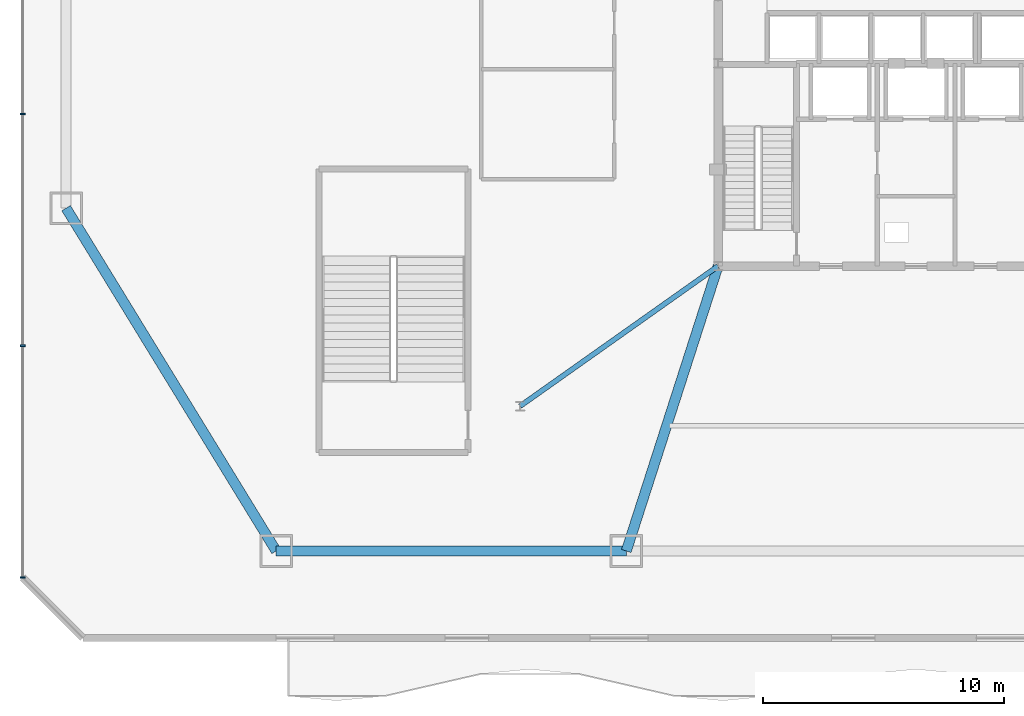
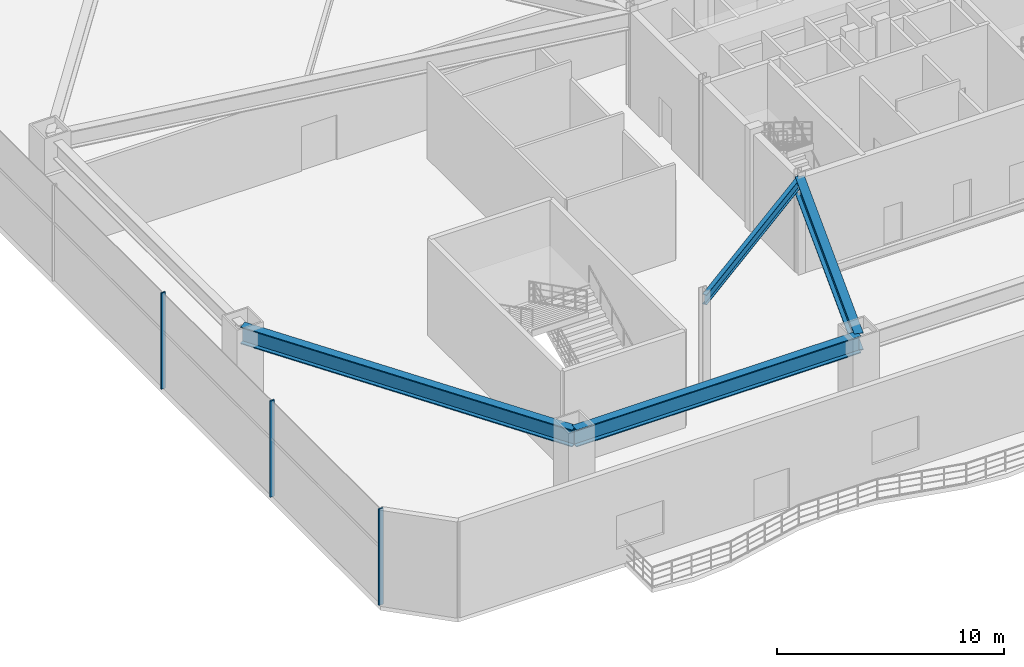
# One storey, part 5 of 20: 4 beams, 3 members, 1 element without a shape of its own.
"""IFC4 building model written with IfcOpenShell, lengths in metres."""

import ifcopenshell
import ifcopenshell.guid

model = None  # the IFC model being written
_history = None  # IfcOwnerHistory: only IFC2X3 demands one
_inside = {}  # id of a spatial element -> (the spatial element, [elements in it])
_under = {}  # id of a project, library or spatial element -> (it, [spatial elements below it])
_declared = {}  # id of a project -> (the project, [libraries it declares])
_typed = {}  # id of a type object -> (the type object, [elements of that type])
_made_of = {}  # id of a material, layer set ... -> (it, [elements and type objects made of it])


def new_model(schema):
    """Start an empty IFC model of exactly this schema.

    Asked for "IFC4X3", IfcOpenShell would pick the latest addendum, in which some entities
    have other attributes; the version numbers below select the first issue.
    IFC2X3 requires an IfcOwnerHistory on every rooted entity: one is made here for all.
    """
    global model, _history
    if schema == "IFC4X3":
        model = ifcopenshell.file(schema_version=(4, 3, 0, 0))
    else:
        model = ifcopenshell.file(schema=schema)
    _inside.clear()
    _under.clear()
    _declared.clear()
    _typed.clear()
    _made_of.clear()
    _history = None
    if model.schema == "IFC2X3":
        org = make("IfcOrganization", Name="unknown")
        user = make(
            "IfcPersonAndOrganization",
            ThePerson=make("IfcPerson", FamilyName="unknown"),
            TheOrganization=org,
        )
        app = make(
            "IfcApplication",
            ApplicationDeveloper=org,
            Version="unknown",
            ApplicationFullName="unknown",
            ApplicationIdentifier="unknown",
        )
        _history = make(
            "IfcOwnerHistory",
            OwningUser=user,
            OwningApplication=app,
            ChangeAction="ADDED",
            CreationDate=0,
        )
    return model


def make(cls, **values):
    """One entity of the class cls with the attributes given. An attribute that is None is left unset."""
    return model.create_entity(
        cls, **{name: value for name, value in values.items() if value is not None}
    )


def rooted(cls, **values):
    """An entity with a GlobalId (a new one), such as an element, a storey or a relation."""
    return make(cls, GlobalId=ifcopenshell.guid.new(), OwnerHistory=_history, **values)


def si_unit(unit_type, name, prefix=None):
    """IfcSIUnit, for example si_unit("LENGTHUNIT", "METRE", prefix="MILLI")."""
    return make("IfcSIUnit", UnitType=unit_type, Prefix=prefix, Name=name)


def assignment(units):
    """IfcUnitAssignment: the units of a project."""
    return None if units is None else make("IfcUnitAssignment", Units=units)


def point(xyz):
    """IfcCartesianPoint."""
    return None if xyz is None else make("IfcCartesianPoint", Coordinates=xyz)


def direction(xyz):
    """IfcDirection."""
    return None if xyz is None else make("IfcDirection", DirectionRatios=xyz)


def frame(location, z_axis=None, x_axis=None):
    """IfcAxis2Placement3D, a coordinate frame: its origin and axes. An axis left out is left unset."""
    return make(
        "IfcAxis2Placement3D",
        Location=point(location),
        Axis=direction(z_axis),
        RefDirection=direction(x_axis),
    )


def frame_2d(location, x_axis=None):
    """IfcAxis2Placement2D, a coordinate frame in the plane: its origin and x axis."""
    return make(
        "IfcAxis2Placement2D", Location=point(location), RefDirection=direction(x_axis)
    )


def origin():
    """The frame at (0, 0, 0) with its axes left unset."""
    return frame((0.0, 0.0, 0.0))


def origin_2d():
    """The frame at (0, 0) in the plane with its x axis left unset."""
    return frame_2d((0.0, 0.0))


def place(relative_to, where):
    """IfcLocalPlacement: puts the frame where relative to a parent placement (None: the world)."""
    return make(
        "IfcLocalPlacement", PlacementRelTo=relative_to, RelativePlacement=where
    )


def context(
    kind, dimensions, precision=None, world=None, true_north=None, identifier=None
):
    """IfcGeometricRepresentationContext, for example the 3D "Model" context."""
    return make(
        "IfcGeometricRepresentationContext",
        ContextIdentifier=identifier,
        ContextType=kind,
        CoordinateSpaceDimension=dimensions,
        Precision=precision,
        WorldCoordinateSystem=world,
        TrueNorth=true_north,
    )


def subcontext(parent, identifier, kind, view, scale=None):
    """IfcGeometricRepresentationSubContext, for example "Body" below "Model"."""
    return make(
        "IfcGeometricRepresentationSubContext",
        ContextIdentifier=identifier,
        ContextType=kind,
        ParentContext=parent,
        TargetScale=scale,
        TargetView=view,
    )


def project(units=None, contexts=None):
    """IfcProject with its units and contexts."""
    return rooted(
        "IfcProject",
        Name="project",
        RepresentationContexts=contexts,
        UnitsInContext=assignment(units),
    )


def spatial(cls, under=None, at=None, **own):
    """A site, building, storey or space (cls), placed at a placement, below another one or the project."""
    s = rooted(cls, ObjectPlacement=at, **own)
    if under is not None:
        _under.setdefault(under.id(), (under, []))[1].append(s)
    return s


def profile(cls, at=None, kind="AREA", **sizes):
    """A parametric profile (cls). Its sizes go by their IFC names, for example OverallWidth=200.0."""
    return make(cls, ProfileType=kind, Position=at, **sizes)


def rectangle(**sizes):
    """IfcRectangleProfileDef."""
    return profile("IfcRectangleProfileDef", **sizes)


def i_section(**sizes):
    """IfcIShapeProfileDef."""
    return profile("IfcIShapeProfileDef", **sizes)


def extrude(swept, where, along, depth):
    """IfcExtrudedAreaSolid: the profile swept, set in the frame where, extruded along a direction by depth."""
    return make(
        "IfcExtrudedAreaSolid",
        SweptArea=swept,
        Position=where,
        ExtrudedDirection=direction(along),
        Depth=depth,
    )


def shape(context_of_items, identifier, shape_type, items):
    """IfcShapeRepresentation: the items that make up one representation, for example the "Body"."""
    return make(
        "IfcShapeRepresentation",
        ContextOfItems=context_of_items,
        RepresentationIdentifier=identifier,
        RepresentationType=shape_type,
        Items=items,
    )


def source(mapping_origin, context_of_items, identifier, shape_type, items):
    """IfcRepresentationMap: a shape defined once, which mapped items show again and again."""
    return make(
        "IfcRepresentationMap",
        MappingOrigin=mapping_origin,
        MappedRepresentation=shape(context_of_items, identifier, shape_type, items),
    )


def transform(
    local_origin,
    x_axis=None,
    y_axis=None,
    z_axis=None,
    scale=None,
    scale2=None,
    scale3=None,
    uniform=True,
):
    """IfcCartesianTransformationOperator3D, or its non-uniform kind. x_axis, y_axis, z_axis: its Axis1, 2, 3."""
    if uniform:
        return make(
            "IfcCartesianTransformationOperator3D",
            Axis1=direction(x_axis),
            Axis2=direction(y_axis),
            LocalOrigin=point(local_origin),
            Scale=scale,
            Axis3=direction(z_axis),
        )
    return make(
        "IfcCartesianTransformationOperator3DnonUniform",
        Axis1=direction(x_axis),
        Axis2=direction(y_axis),
        LocalOrigin=point(local_origin),
        Scale=scale,
        Axis3=direction(z_axis),
        Scale2=scale2,
        Scale3=scale3,
    )


def mapped(mapping_source, mapping_target):
    """IfcMappedItem: shows the shape of a source again, moved by a transform."""
    return make(
        "IfcMappedItem", MappingSource=mapping_source, MappingTarget=mapping_target
    )


def material(Name=None, Category=None):
    """IfcMaterial."""
    return make("IfcMaterial", Name=Name, Category=Category)


def layer(
    of_material, thickness, ventilated=None, Name=None, Category=None, Priority=None
):
    """IfcMaterialLayer: one layer of a wall or slab, of a material (None: an air gap)."""
    return make(
        "IfcMaterialLayer",
        Material=of_material,
        LayerThickness=thickness,
        IsVentilated=ventilated,
        Name=Name,
        Category=Category,
        Priority=Priority,
    )


def layer_set(layers, Name=None):
    """IfcMaterialLayerSet."""
    return make("IfcMaterialLayerSet", MaterialLayers=layers, LayerSetName=Name)


def material_profile(
    of_material, cross_section, Name=None, Category=None, Priority=None
):
    """IfcMaterialProfile: a cross section and its material."""
    return make(
        "IfcMaterialProfile",
        Name=Name,
        Material=of_material,
        Profile=cross_section,
        Priority=Priority,
        Category=Category,
    )


def profile_set(profiles, Name=None, composite=None):
    """IfcMaterialProfileSet."""
    return make(
        "IfcMaterialProfileSet",
        Name=Name,
        MaterialProfiles=profiles,
        CompositeProfile=composite,
    )


def made_of(thing, what):
    """Note that an element or type object is made of a material, layer set ...; save() writes the relation."""
    if what is not None:
        _made_of.setdefault(what.id(), (what, []))[1].append(thing)
    return thing


def type_object(cls, material=None, **own):
    """A type object (cls), such as IfcWallType, which elements share."""
    return made_of(rooted(cls, **own), material)


def type_shapes(of_type, sources):
    """Give a type object the sources (RepresentationMaps) that its elements show as mapped items."""
    of_type.RepresentationMaps = sources


def element(
    cls,
    number,
    at=None,
    inside=None,
    cuts=None,
    type_object=None,
    material=None,
    context=None,
    identifier="Body",
    shape_type=None,
    held_by="IfcProductDefinitionShape",
    body=None,
    shapes=None,
    **own,
):
    """One element of the class cls, such as IfcWall. Its Tag is "e" and its number.

    at: its placement. inside: the storey or other place that contains it. cuts: it is an
    opening in that element (IfcRelVoidsElement). A single representation is given by context,
    identifier, shape_type and body (its items); several are given by shapes. held_by: the class
    of the entity that holds the representations. save() writes the other relations.
    """
    e = rooted(cls, Tag="e%d" % number, ObjectPlacement=at, **own)
    if body is not None:
        shapes = [shape(context, identifier, shape_type, body)]
    if shapes is not None:
        e.Representation = make(held_by, Representations=shapes)
    if inside is not None:
        _inside.setdefault(inside.id(), (inside, []))[1].append(e)
    if cuts is not None:
        rooted(
            "IfcRelVoidsElement", RelatingBuildingElement=cuts, RelatedOpeningElement=e
        )
    if type_object is not None:
        _typed.setdefault(type_object.id(), (type_object, []))[1].append(e)
    return made_of(e, material)


def aggregate(whole, parts):
    """IfcRelAggregates: a whole, such as a stair, and the parts it consists of."""
    return rooted("IfcRelAggregates", RelatingObject=whole, RelatedObjects=parts)


def save(model, path):
    """Write the relations noted so far, then the file.

    IfcRelAggregates (storeys below a building ...), IfcRelContainedInSpatialStructure (elements
    in a storey), IfcRelDefinesByType, IfcRelAssociatesMaterial and IfcRelDeclares: one each for
    every whole, place, type object, material and project.
    """
    for whole, parts in _under.values():
        aggregate(whole, parts)
    for where, things in _inside.values():
        rooted(
            "IfcRelContainedInSpatialStructure",
            RelatedElements=things,
            RelatingStructure=where,
        )
    for kind, things in _typed.values():
        rooted("IfcRelDefinesByType", RelatedObjects=things, RelatingType=kind)
    for what, things in _made_of.values():
        rooted("IfcRelAssociatesMaterial", RelatedObjects=things, RelatingMaterial=what)
    for by, libraries in _declared.values():
        rooted("IfcRelDeclares", RelatingContext=by, RelatedDefinitions=libraries)
    model.write(path)


model = new_model("IFC4")

# Units and contexts
model_context = context("Model", 3, precision=1e-05, world=origin(), true_north=direction((0.0, 1.0)))
body_context = subcontext(model_context, "Body", "Model", "MODEL_VIEW")
ifc_project = project(units=[si_unit("LENGTHUNIT", "METRE"), si_unit("AREAUNIT", "SQUARE_METRE"), si_unit("VOLUMEUNIT", "CUBIC_METRE"), si_unit("PLANEANGLEUNIT", "RADIAN"), si_unit("MASSUNIT", "GRAM", prefix="KILO")], contexts=[model_context])

# Site, building, storey
site_placement = place(None, origin())
site = spatial("IfcSite", under=ifc_project, at=site_placement, CompositionType="ELEMENT")
building_placement = place(site_placement, origin())
building = spatial("IfcBuilding", under=site, at=building_placement, Name="Varakhsha Concourse Tower", CompositionType="ELEMENT")
storey_placement = place(building_placement, frame((0.0, 0.0, 16.5)))
storey = spatial("IfcBuildingStorey", under=building, at=storey_placement, Name="L04", CompositionType="ELEMENT", Elevation=16.5)

# Beams
ifc_material_1 = material(Name="Structural Steel ASTM A992 Grade 50", Category="steel")
ifc_material_profile_1 = material_profile(ifc_material_1, i_section(OverallWidth=0.41796875, OverallDepth=0.927001953125, WebThickness=0.030029296875, FlangeThickness=0.051025390625, at=origin_2d()), Name="W36X231")
ifc_profile_set_1 = profile_set([ifc_material_profile_1], Name="Structural Steel ASTM A992 Grade 50")
beam_type_1 = type_object("IfcBeamType", Name="BM-HALL-W36X231", PredefinedType="USERDEFINED", material=ifc_profile_set_1)
beam_1_placement = place(storey_placement, frame((13.5, 4.60009765625, 4.716552734375), z_axis=(1.0, 0.0, 0.0), x_axis=(0.0, 1.0, 0.0)))
element("IfcBeam", 1, at=beam_1_placement, inside=storey, type_object=beam_type_1, Name="BM-PRING-L04-01", ObjectType="GIRDER", PredefinedType="USERDEFINED", context=body_context, shape_type="SweptSolid", body=[
    extrude(i_section(OverallWidth=0.41796875, OverallDepth=0.927001953125, WebThickness=0.030029296875, FlangeThickness=0.051025390625, at=origin_2d()), origin(), (0.0, 0.0, 1.0), 14.5),
])
beam_2_placement = place(storey_placement, frame((4.800048828125, 18.800048828125, 4.716552734375), z_axis=(0.522420415639, -0.852688049244, 0.0), x_axis=(0.852688049244, 0.522420415639, 0.0)))
element("IfcBeam", 2, at=beam_2_placement, inside=storey, type_object=beam_type_1, Name="BM-PRING-L04-12", ObjectType="GIRDER", PredefinedType="USERDEFINED", context=body_context, shape_type="SweptSolid", body=[
    extrude(i_section(OverallWidth=0.41796875, OverallDepth=0.927001953125, WebThickness=0.030029296875, FlangeThickness=0.051025390625, at=origin_2d()), origin(), (0.0, 0.0, 1.0), 16.653076171875),
])
beam_3_placement = place(storey_placement, frame((31.800048828125, 16.39990234375, 4.716552734375), z_axis=(-0.306539531823, -0.951857928175, 0.0), x_axis=(0.951857928175, -0.306539531823, 0.0)))
element("IfcBeam", 3, at=beam_3_placement, inside=storey, type_object=beam_type_1, Name="BM-PRAD-L04-02", ObjectType="GIRDER", PredefinedType="USERDEFINED", context=body_context, shape_type="SweptSolid", body=[
    extrude(i_section(OverallWidth=0.41796875, OverallDepth=0.927001953125, WebThickness=0.030029296875, FlangeThickness=0.051025390625, at=origin_2d()), origin(), (0.0, 0.0, 1.0), 12.396484375),
])
ifc_material_profile_2 = material_profile(ifc_material_1, i_section(OverallWidth=0.2109375, OverallDepth=0.5390625, WebThickness=0.011962890625, FlangeThickness=0.01904296875, at=origin_2d()), Name="W21X73")
ifc_profile_set_2 = profile_set([ifc_material_profile_2], Name="Structural Steel ASTM A992 Grade 50")
beam_type_2 = type_object("IfcBeamType", Name="BM-RAD-W21X73", PredefinedType="BEAM", material=ifc_profile_set_2)
beam_4_placement = place(storey_placement, frame((31.800048828125, 16.39990234375, 4.910400390625), z_axis=(-0.816423186202, -0.577454051014, 0.0), x_axis=(0.577454051014, -0.816423186202, 0.0)))
element("IfcBeam", 4, at=beam_4_placement, inside=storey, type_object=beam_type_2, Name="BM-CORE-L04-SSW", PredefinedType="BEAM", context=body_context, shape_type="SweptSolid", body=[
    extrude(i_section(OverallWidth=0.2109375, OverallDepth=0.5390625, WebThickness=0.011962890625, FlangeThickness=0.01904296875, at=origin_2d()), origin(), (0.0, 0.0, 1.0), 10.043701171875),
])

# Curtain wall, members
ifc_material_2 = material(Name="Anodised Bronze Architectural Aluminium AA 6063-T6", Category="aluminium")
ifc_layer = layer(ifc_material_2, 0.239990234375, Name="CW-SYS-01")
ifc_layer_set = layer_set([ifc_layer], Name="Anodised Bronze Architectural Aluminium AA 6063-T6")
curtain_wall_type = type_object("IfcCurtainWallType", Name="CW-SYS-01", PredefinedType="NOTDEFINED", material=ifc_layer_set)
curtain_wall_placement = place(storey_placement, origin())
curtain_wall = element("IfcCurtainWall", 5, at=curtain_wall_placement, inside=storey, type_object=curtain_wall_type, Name="L04 Podium Curtain Wall 07", PredefinedType="NOTDEFINED")
ifc_material_profile_3 = material_profile(ifc_material_2, rectangle(XDim=0.074951171875, YDim=0.219970703125, at=origin_2d()), Name="CWM-220X75")
ifc_profile_set_3 = profile_set([ifc_material_profile_3], Name="Anodised Bronze Architectural Aluminium AA 6063-T6")
member_type = type_object("IfcMemberType", Name="CWM-220X75", PredefinedType="MULLION", material=ifc_profile_set_3)
shared_shape = source(origin(), body_context, "Body", "SweptSolid", [
    extrude(rectangle(XDim=0.074951171875, YDim=0.219970703125, at=origin_2d()), origin(), (0.0, 0.0, 1.0), 5.179931640625),
])
type_shapes(member_type, [shared_shape])
member_1_placement = place(storey_placement, frame((3.0, 22.699951171875, 0.0), z_axis=(0.0, 0.0, 1.0), x_axis=(0.0, -1.0, 0.0)))
member_1 = element("IfcMember", 6, at=member_1_placement, type_object=member_type, Name="CW-POD-L04-07 Mullion 03", PredefinedType="MULLION", context=body_context, shape_type="MappedRepresentation", body=[
    mapped(shared_shape, transform((0.0, 0.0, 0.0), scale=1.0)),
])
member_2_placement = place(storey_placement, frame((3.0, 13.10009765625, 0.0), z_axis=(0.0, 0.0, 1.0), x_axis=(0.0, -1.0, 0.0)))
member_2 = element("IfcMember", 7, at=member_2_placement, type_object=member_type, Name="CW-POD-L04-07 Mullion 04", PredefinedType="MULLION", context=body_context, shape_type="MappedRepresentation", body=[
    mapped(shared_shape, transform((0.0, 0.0, 0.0), scale=1.0)),
])
member_3_placement = place(storey_placement, frame((3.0, 3.5, 0.0), z_axis=(0.0, 0.0, 1.0), x_axis=(0.0, -1.0, 0.0)))
member_3 = element("IfcMember", 8, at=member_3_placement, type_object=member_type, Name="CW-POD-L04-07 Mullion 05", PredefinedType="MULLION", context=body_context, shape_type="MappedRepresentation", body=[
    mapped(shared_shape, transform((0.0, 0.0, 0.0), scale=1.0)),
])
aggregate(curtain_wall, [member_1, member_2, member_3])

save(model, "model.ifc")
